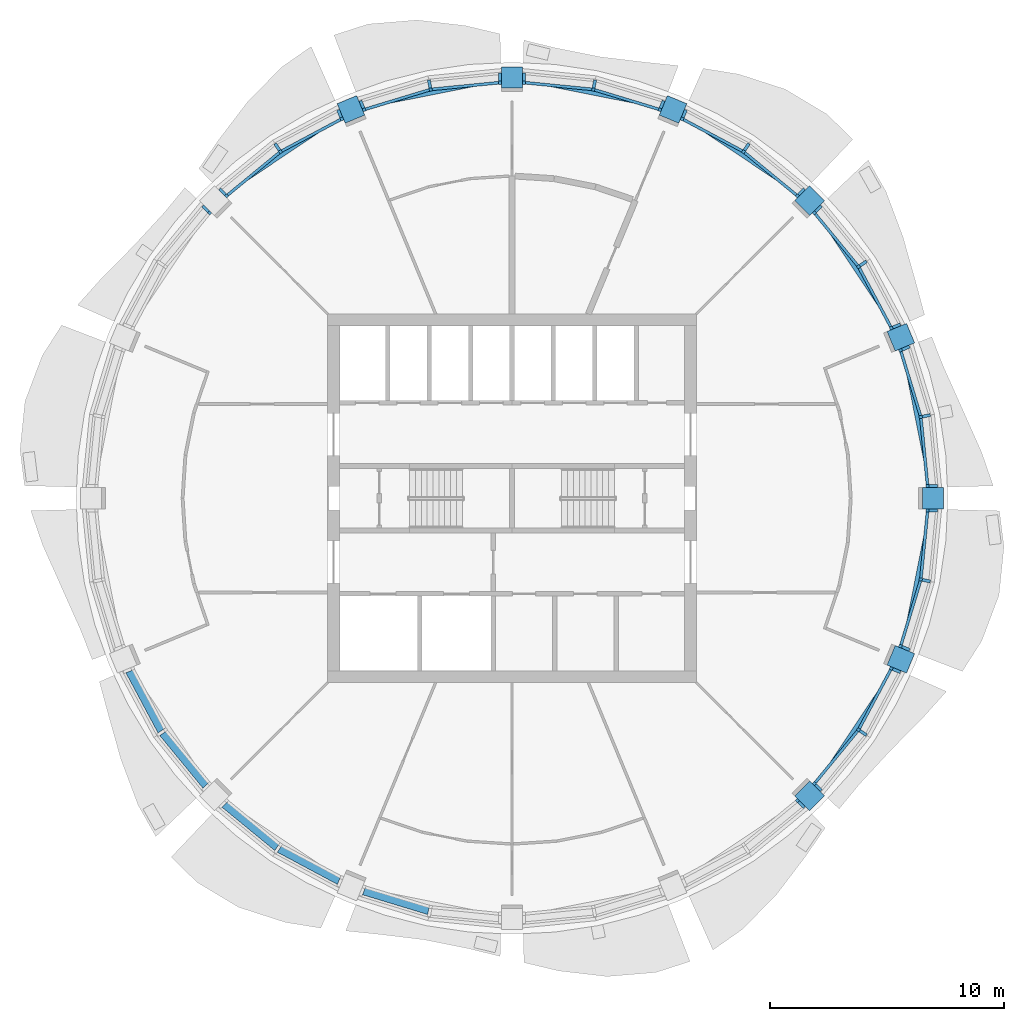
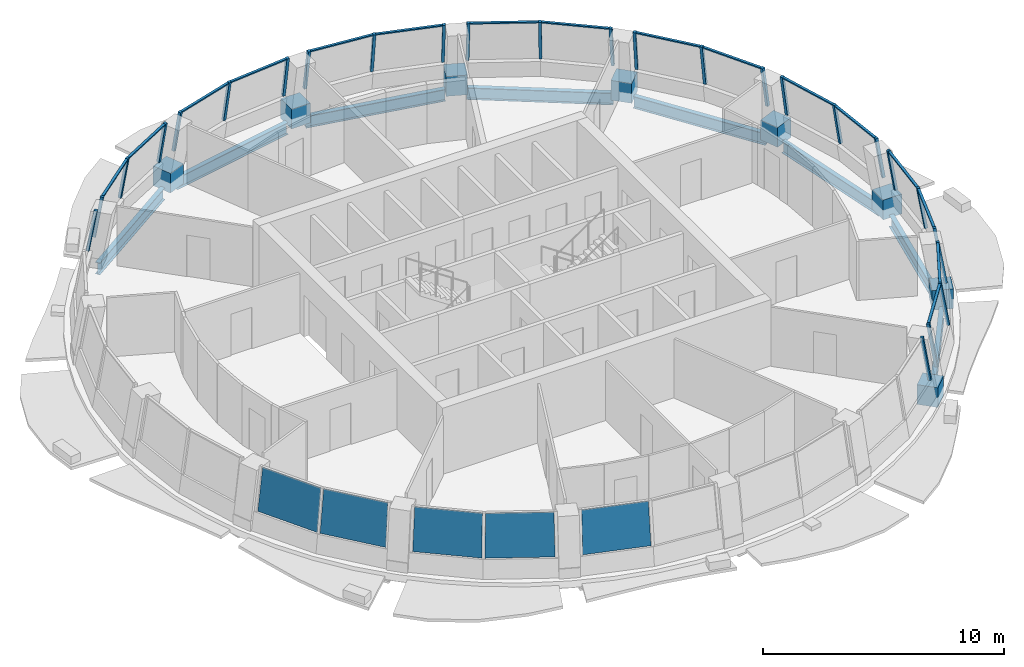
# One storey, part 2 of 11: 50 members, 8 beams, 5 plates, 13 elements without a shape of their own.
"""IFC4 building model written with IfcOpenShell, lengths in metres."""

from ifc_helpers import new_model, si_unit, direction, frame, origin, origin_2d, place, context, subcontext, project, spatial, polyline, rectangle, i_section, outline, extrude, material, layer, layer_set, material_profile, profile_set, type_object, element, aggregate, save


model = new_model("IFC4")

# Units and contexts
model_context = context("Model", 3, precision=1e-05, world=origin(), true_north=direction((0.0, 1.0)))
body_context = subcontext(model_context, "Body", "Model", "MODEL_VIEW")
ifc_project = project(units=[si_unit("LENGTHUNIT", "METRE"), si_unit("AREAUNIT", "SQUARE_METRE"), si_unit("VOLUMEUNIT", "CUBIC_METRE"), si_unit("PLANEANGLEUNIT", "RADIAN"), si_unit("MASSUNIT", "GRAM", prefix="KILO")], contexts=[model_context])

# Site, building, storey
site_placement = place(None, origin())
site = spatial("IfcSite", under=ifc_project, at=site_placement, CompositionType="ELEMENT")
building_placement = place(site_placement, origin())
building = spatial("IfcBuilding", under=site, at=building_placement, Name="Polderwave Tower", CompositionType="ELEMENT")
storey_placement = place(building_placement, frame((0.0, 0.0, 184.300048828125)))
storey = spatial("IfcBuildingStorey", under=building, at=storey_placement, Name="L49", CompositionType="ELEMENT", Elevation=184.300048828125)

# Curtain wall, members
ifc_material_1 = material(Name="Aluminium 6063-T6 and glass", Category="aluminium")
curtain_wall_type = type_object("IfcCurtainWallType", Name="Office ribbon glazing, leaning storey wall", PredefinedType="NOTDEFINED", material=ifc_material_1)
curtain_wall_1_placement = place(storey_placement, origin())
curtain_wall_1 = element("IfcCurtainWall", 1, at=curtain_wall_1_placement, inside=storey, type_object=curtain_wall_type, Name="CW9 L49 00", PredefinedType="NOTDEFINED")
ifc_material_2 = material(Name="Aluminium 6063-T6", Category="aluminium")
ifc_material_profile_1 = material_profile(ifc_material_2, rectangle(XDim=0.1298828125, YDim=0.139892578125, at=origin_2d()), Name="AL 130x140")
ifc_profile_set_1 = profile_set([ifc_material_profile_1], Name="Aluminium 6063-T6")
member_type_1 = type_object("IfcMemberType", Name="Office ribbon glazing, leaning storey mullion 130x140", PredefinedType="MULLION", material=ifc_profile_set_1)
member_1_placement = place(storey_placement, frame((18.097412109375, 0.5146484375, 0.89990234375), z_axis=(-0.163431801187, 0.0, 0.98655463425), x_axis=(0.0, -1.0, 0.0)))
member_1 = element("IfcMember", 2, at=member_1_placement, type_object=member_type_1, Name="CW9 mullion 1", PredefinedType="MULLION", context=body_context, shape_type="SweptSolid", body=[
    extrude(rectangle(XDim=0.1298828125, YDim=0.139892578125, at=origin_2d()), origin(), (0.0, 0.0, 1.0), 2.128662109375),
])
member_2_placement = place(storey_placement, frame((17.798828125, 3.541015625, 0.89990234375), z_axis=(-0.160109999063, -0.031999061417, 0.986580381048), x_axis=(0.195981048463, -0.980607683349, 0.0)))
member_2 = element("IfcMember", 3, at=member_2_placement, type_object=member_type_1, Name="CW9 mullion 2", PredefinedType="MULLION", context=body_context, shape_type="SweptSolid", body=[
    extrude(rectangle(XDim=0.1298828125, YDim=0.139892578125, at=origin_2d()), origin(), (0.0, 0.0, 1.0), 2.128662109375),
])
member_3_placement = place(storey_placement, frame((16.916259765625, 6.44970703125, 0.89990234375), z_axis=(-0.150933514231, -0.062391969408, 0.986573016272), x_axis=(0.382020964761, -0.924153657399, 0.0)))
member_3 = element("IfcMember", 4, at=member_3_placement, type_object=member_type_1, Name="CW9 mullion 3", PredefinedType="MULLION", context=body_context, shape_type="SweptSolid", body=[
    extrude(rectangle(XDim=0.1298828125, YDim=0.139892578125, at=origin_2d()), origin(), (0.0, 0.0, 1.0), 2.128662109375),
])

curtain_wall_2_placement = place(storey_placement, origin())
curtain_wall_2 = element("IfcCurtainWall", 5, at=curtain_wall_2_placement, inside=storey, type_object=curtain_wall_type, Name="CW9 L49 01", PredefinedType="NOTDEFINED")
member_4_placement = place(storey_placement, frame((16.522705078125, 7.4013671875, 0.89990234375), z_axis=(-0.150932433199, -0.062506212837, 0.986565950135), x_axis=(0.38262048223, -0.923905604798, 0.0)))
member_4 = element("IfcMember", 6, at=member_4_placement, type_object=member_type_1, Name="CW9 mullion 1", PredefinedType="MULLION", context=body_context, shape_type="SweptSolid", body=[
    extrude(rectangle(XDim=0.1298828125, YDim=0.139892578125, at=origin_2d()), origin(), (0.0, 0.0, 1.0), 2.128662109375),
])
member_5_placement = place(storey_placement, frame((15.089111328125, 10.082275390625, 0.89990234375), z_axis=(-0.135793100308, -0.090834573855, 0.986564399368), x_axis=(0.555995550238, -0.831185267023, 0.0)))
member_5 = element("IfcMember", 7, at=member_5_placement, type_object=member_type_1, Name="CW9 mullion 2", PredefinedType="MULLION", context=body_context, shape_type="SweptSolid", body=[
    extrude(rectangle(XDim=0.1298828125, YDim=0.139892578125, at=origin_2d()), origin(), (0.0, 0.0, 1.0), 2.128662109375),
])
member_6_placement = place(storey_placement, frame((13.16064453125, 12.4326171875, 0.89990234375), z_axis=(-0.115720038741, -0.115490663044, 0.986544869422), x_axis=(0.706404938746, -0.707807927701, 0.0)))
member_6 = element("IfcMember", 8, at=member_6_placement, type_object=member_type_1, Name="CW9 mullion 3", PredefinedType="MULLION", context=body_context, shape_type="SweptSolid", body=[
    extrude(rectangle(XDim=0.1298828125, YDim=0.139892578125, at=origin_2d()), origin(), (0.0, 0.0, 1.0), 2.128662109375),
])

curtain_wall_3_placement = place(storey_placement, origin())
curtain_wall_3 = element("IfcCurtainWall", 9, at=curtain_wall_3_placement, inside=storey, type_object=curtain_wall_type, Name="CW9 L49 02", PredefinedType="NOTDEFINED")
member_7_placement = place(storey_placement, frame((12.4326171875, 13.16064453125, 0.89990234375), z_axis=(-0.115490663044, -0.115720038741, 0.986544869422), x_axis=(0.707807927701, -0.706404938746, 0.0)))
member_7 = element("IfcMember", 10, at=member_7_placement, type_object=member_type_1, Name="CW9 mullion 1", PredefinedType="MULLION", context=body_context, shape_type="SweptSolid", body=[
    extrude(rectangle(XDim=0.1298828125, YDim=0.139892578125, at=origin_2d()), origin(), (0.0, 0.0, 1.0), 2.128662109375),
])
member_8_placement = place(storey_placement, frame((10.082275390625, 15.089111328125, 0.89990234375), z_axis=(-0.090834573855, -0.135793100308, 0.986564399368), x_axis=(0.831185267023, -0.555995550238, 0.0)))
member_8 = element("IfcMember", 11, at=member_8_placement, type_object=member_type_1, Name="CW9 mullion 2", PredefinedType="MULLION", context=body_context, shape_type="SweptSolid", body=[
    extrude(rectangle(XDim=0.1298828125, YDim=0.139892578125, at=origin_2d()), origin(), (0.0, 0.0, 1.0), 2.128662109375),
])
member_9_placement = place(storey_placement, frame((7.4013671875, 16.522705078125, 0.89990234375), z_axis=(-0.062506212837, -0.150932433199, 0.986565950135), x_axis=(0.923905604798, -0.38262048223, 0.0)))
member_9 = element("IfcMember", 12, at=member_9_placement, type_object=member_type_1, Name="CW9 mullion 3", PredefinedType="MULLION", context=body_context, shape_type="SweptSolid", body=[
    extrude(rectangle(XDim=0.1298828125, YDim=0.139892578125, at=origin_2d()), origin(), (0.0, 0.0, 1.0), 2.128662109375),
])

curtain_wall_4_placement = place(storey_placement, origin())
curtain_wall_4 = element("IfcCurtainWall", 13, at=curtain_wall_4_placement, inside=storey, type_object=curtain_wall_type, Name="CW9 L49 03", PredefinedType="NOTDEFINED")
member_10_placement = place(storey_placement, frame((6.44970703125, 16.916259765625, 0.89990234375), z_axis=(-0.062391969408, -0.150933514231, 0.986573016272), x_axis=(0.924153657399, -0.382020964761, 0.0)))
member_10 = element("IfcMember", 14, at=member_10_placement, type_object=member_type_1, Name="CW9 mullion 1", PredefinedType="MULLION", context=body_context, shape_type="SweptSolid", body=[
    extrude(rectangle(XDim=0.1298828125, YDim=0.139892578125, at=origin_2d()), origin(), (0.0, 0.0, 1.0), 2.128662109375),
])
member_11_placement = place(storey_placement, frame((3.541015625, 17.798828125, 0.89990234375), z_axis=(-0.031999061417, -0.160109999063, 0.986580381048), x_axis=(0.980607683349, -0.195981048463, 0.0)))
member_11 = element("IfcMember", 15, at=member_11_placement, type_object=member_type_1, Name="CW9 mullion 2", PredefinedType="MULLION", context=body_context, shape_type="SweptSolid", body=[
    extrude(rectangle(XDim=0.1298828125, YDim=0.139892578125, at=origin_2d()), origin(), (0.0, 0.0, 1.0), 2.128662109375),
])
member_12_placement = place(storey_placement, frame((0.5146484375, 18.097412109375, 0.89990234375), z_axis=(0.0, -0.163431801187, 0.98655463425), x_axis=(1.0, 0.0, 0.0)))
member_12 = element("IfcMember", 16, at=member_12_placement, type_object=member_type_1, Name="CW9 mullion 3", PredefinedType="MULLION", context=body_context, shape_type="SweptSolid", body=[
    extrude(rectangle(XDim=0.1298828125, YDim=0.139892578125, at=origin_2d()), origin(), (0.0, 0.0, 1.0), 2.128662109375),
])

curtain_wall_5_placement = place(storey_placement, origin())
curtain_wall_5 = element("IfcCurtainWall", 17, at=curtain_wall_5_placement, inside=storey, type_object=curtain_wall_type, Name="CW9 L49 04", PredefinedType="NOTDEFINED")
member_13_placement = place(storey_placement, frame((-0.5146484375, 18.097412109375, 0.89990234375), z_axis=(0.0, -0.163431801187, 0.98655463425), x_axis=(1.0, 0.0, 0.0)))
member_13 = element("IfcMember", 18, at=member_13_placement, type_object=member_type_1, Name="CW9 mullion 1", PredefinedType="MULLION", context=body_context, shape_type="SweptSolid", body=[
    extrude(rectangle(XDim=0.1298828125, YDim=0.139892578125, at=origin_2d()), origin(), (0.0, 0.0, 1.0), 2.128662109375),
])
member_14_placement = place(storey_placement, frame((-3.541015625, 17.798828125, 0.89990234375), z_axis=(0.031999061417, -0.160109999063, 0.986580381048), x_axis=(0.980607683349, 0.195981048463, 0.0)))
member_14 = element("IfcMember", 19, at=member_14_placement, type_object=member_type_1, Name="CW9 mullion 2", PredefinedType="MULLION", context=body_context, shape_type="SweptSolid", body=[
    extrude(rectangle(XDim=0.1298828125, YDim=0.139892578125, at=origin_2d()), origin(), (0.0, 0.0, 1.0), 2.128662109375),
])
member_15_placement = place(storey_placement, frame((-6.44970703125, 16.916259765625, 0.89990234375), z_axis=(0.062391969408, -0.150933514231, 0.986573016272), x_axis=(0.924153657399, 0.382020964761, 0.0)))
member_15 = element("IfcMember", 20, at=member_15_placement, type_object=member_type_1, Name="CW9 mullion 3", PredefinedType="MULLION", context=body_context, shape_type="SweptSolid", body=[
    extrude(rectangle(XDim=0.1298828125, YDim=0.139892578125, at=origin_2d()), origin(), (0.0, 0.0, 1.0), 2.128662109375),
])

curtain_wall_6_placement = place(storey_placement, origin())
curtain_wall_6 = element("IfcCurtainWall", 21, at=curtain_wall_6_placement, inside=storey, type_object=curtain_wall_type, Name="CW9 L49 05", PredefinedType="NOTDEFINED")
member_16_placement = place(storey_placement, frame((-7.4013671875, 16.522705078125, 0.89990234375), z_axis=(0.062506212837, -0.150932433199, 0.986565950135), x_axis=(0.923905604798, 0.38262048223, 0.0)))
member_16 = element("IfcMember", 22, at=member_16_placement, type_object=member_type_1, Name="CW9 mullion 1", PredefinedType="MULLION", context=body_context, shape_type="SweptSolid", body=[
    extrude(rectangle(XDim=0.1298828125, YDim=0.139892578125, at=origin_2d()), origin(), (0.0, 0.0, 1.0), 2.128662109375),
])
member_17_placement = place(storey_placement, frame((-10.082275390625, 15.089111328125, 0.89990234375), z_axis=(0.090834573855, -0.135793100308, 0.986564399368), x_axis=(0.831185267023, 0.555995550238, 0.0)))
member_17 = element("IfcMember", 23, at=member_17_placement, type_object=member_type_1, Name="CW9 mullion 2", PredefinedType="MULLION", context=body_context, shape_type="SweptSolid", body=[
    extrude(rectangle(XDim=0.1298828125, YDim=0.139892578125, at=origin_2d()), origin(), (0.0, 0.0, 1.0), 2.128662109375),
])
member_18_placement = place(storey_placement, frame((-12.4326171875, 13.16064453125, 0.89990234375), z_axis=(0.115490663044, -0.115720038741, 0.986544869422), x_axis=(0.707807927701, 0.706404938746, 0.0)))
member_18 = element("IfcMember", 24, at=member_18_placement, type_object=member_type_1, Name="CW9 mullion 3", PredefinedType="MULLION", context=body_context, shape_type="SweptSolid", body=[
    extrude(rectangle(XDim=0.1298828125, YDim=0.139892578125, at=origin_2d()), origin(), (0.0, 0.0, 1.0), 2.128662109375),
])

# Curtain wall, member
curtain_wall_7_placement = place(storey_placement, origin())
curtain_wall_7 = element("IfcCurtainWall", 25, at=curtain_wall_7_placement, inside=storey, type_object=curtain_wall_type, Name="CW9 L49 06", PredefinedType="NOTDEFINED")
member_19_placement = place(storey_placement, frame((-13.16064453125, 12.4326171875, 0.89990234375), z_axis=(0.115720038741, -0.115490663044, 0.986544869422), x_axis=(0.706404938746, 0.707807927701, 0.0)))
member_19 = element("IfcMember", 26, at=member_19_placement, type_object=member_type_1, Name="CW9 mullion 1", PredefinedType="MULLION", context=body_context, shape_type="SweptSolid", body=[
    extrude(rectangle(XDim=0.1298828125, YDim=0.139892578125, at=origin_2d()), origin(), (0.0, 0.0, 1.0), 2.128662109375),
])
aggregate(curtain_wall_7, [member_19])

curtain_wall_8_placement = place(storey_placement, origin())
curtain_wall_8 = element("IfcCurtainWall", 27, at=curtain_wall_8_placement, inside=storey, type_object=curtain_wall_type, Name="CW9 L49 13", PredefinedType="NOTDEFINED")
member_20_placement = place(storey_placement, frame((12.4326171875, -13.16064453125, 0.89990234375), z_axis=(-0.115490663044, 0.115720038741, 0.986544869422), x_axis=(-0.707807927701, -0.706404938746, 0.0)))
member_20 = element("IfcMember", 28, at=member_20_placement, type_object=member_type_1, Name="CW9 mullion 3", PredefinedType="MULLION", context=body_context, shape_type="SweptSolid", body=[
    extrude(rectangle(XDim=0.1298828125, YDim=0.139892578125, at=origin_2d()), origin(), (0.0, 0.0, 1.0), 2.128662109375),
])
aggregate(curtain_wall_8, [member_20])

# Curtain wall, members
curtain_wall_9_placement = place(storey_placement, origin())
curtain_wall_9 = element("IfcCurtainWall", 29, at=curtain_wall_9_placement, inside=storey, type_object=curtain_wall_type, Name="CW9 L49 14", PredefinedType="NOTDEFINED")
member_21_placement = place(storey_placement, frame((13.16064453125, -12.4326171875, 0.89990234375), z_axis=(-0.115720038741, 0.115490663044, 0.986544869422), x_axis=(-0.706404938746, -0.707807927701, 0.0)))
member_21 = element("IfcMember", 30, at=member_21_placement, type_object=member_type_1, Name="CW9 mullion 1", PredefinedType="MULLION", context=body_context, shape_type="SweptSolid", body=[
    extrude(rectangle(XDim=0.1298828125, YDim=0.139892578125, at=origin_2d()), origin(), (0.0, 0.0, 1.0), 2.128662109375),
])
member_22_placement = place(storey_placement, frame((15.089111328125, -10.082275390625, 0.89990234375), z_axis=(-0.135793100308, 0.090834573855, 0.986564399368), x_axis=(-0.555995550238, -0.831185267023, 0.0)))
member_22 = element("IfcMember", 31, at=member_22_placement, type_object=member_type_1, Name="CW9 mullion 2", PredefinedType="MULLION", context=body_context, shape_type="SweptSolid", body=[
    extrude(rectangle(XDim=0.1298828125, YDim=0.139892578125, at=origin_2d()), origin(), (0.0, 0.0, 1.0), 2.128662109375),
])
member_23_placement = place(storey_placement, frame((16.522705078125, -7.4013671875, 0.89990234375), z_axis=(-0.150932433199, 0.062506212837, 0.986565950135), x_axis=(-0.38262048223, -0.923905604798, 0.0)))
member_23 = element("IfcMember", 32, at=member_23_placement, type_object=member_type_1, Name="CW9 mullion 3", PredefinedType="MULLION", context=body_context, shape_type="SweptSolid", body=[
    extrude(rectangle(XDim=0.1298828125, YDim=0.139892578125, at=origin_2d()), origin(), (0.0, 0.0, 1.0), 2.128662109375),
])

curtain_wall_10_placement = place(storey_placement, origin())
curtain_wall_10 = element("IfcCurtainWall", 33, at=curtain_wall_10_placement, inside=storey, type_object=curtain_wall_type, Name="CW9 L49 15", PredefinedType="NOTDEFINED")
member_24_placement = place(storey_placement, frame((16.916259765625, -6.44970703125, 0.89990234375), z_axis=(-0.150933514231, 0.062391969408, 0.986573016272), x_axis=(-0.382020964761, -0.924153657399, 0.0)))
member_24 = element("IfcMember", 34, at=member_24_placement, type_object=member_type_1, Name="CW9 mullion 1", PredefinedType="MULLION", context=body_context, shape_type="SweptSolid", body=[
    extrude(rectangle(XDim=0.1298828125, YDim=0.139892578125, at=origin_2d()), origin(), (0.0, 0.0, 1.0), 2.128662109375),
])
member_25_placement = place(storey_placement, frame((17.798828125, -3.541015625, 0.89990234375), z_axis=(-0.160109999063, 0.031999061417, 0.986580381048), x_axis=(-0.195981048463, -0.980607683349, 0.0)))
member_25 = element("IfcMember", 35, at=member_25_placement, type_object=member_type_1, Name="CW9 mullion 2", PredefinedType="MULLION", context=body_context, shape_type="SweptSolid", body=[
    extrude(rectangle(XDim=0.1298828125, YDim=0.139892578125, at=origin_2d()), origin(), (0.0, 0.0, 1.0), 2.128662109375),
])
member_26_placement = place(storey_placement, frame((18.097412109375, -0.5146484375, 0.89990234375), z_axis=(-0.163431801187, 0.0, 0.98655463425), x_axis=(0.0, -1.0, 0.0)))
member_26 = element("IfcMember", 36, at=member_26_placement, type_object=member_type_1, Name="CW9 mullion 3", PredefinedType="MULLION", context=body_context, shape_type="SweptSolid", body=[
    extrude(rectangle(XDim=0.1298828125, YDim=0.139892578125, at=origin_2d()), origin(), (0.0, 0.0, 1.0), 2.128662109375),
])

# Member
ifc_material_profile_2 = material_profile(ifc_material_2, rectangle(XDim=0.1201171875, YDim=0.06005859375, at=origin_2d()), Name="AL 60x120")
ifc_profile_set_2 = profile_set([ifc_material_profile_2], Name="Aluminium 6063-T6")
member_type_2 = type_object("IfcMemberType", Name="Office ribbon glazing, leaning storey transom 60x120", PredefinedType="USERDEFINED", material=ifc_profile_set_2)
member_27_placement = place(storey_placement, frame((17.748291015625, 0.579345703125, 2.969970703125), z_axis=(-0.098135006955, 0.995173110775, 0.0), x_axis=(-0.995173110775, -0.098135006955, 0.0)))
member_27 = element("IfcMember", 37, at=member_27_placement, type_object=member_type_2, Name="CW9 transom 1", ObjectType="TRANSOM", PredefinedType="USERDEFINED", context=body_context, shape_type="SweptSolid", body=[
    extrude(rectangle(XDim=0.1201171875, YDim=0.06005859375, at=origin_2d()), origin(), (0.0, 0.0, 1.0), 2.843505859375),
])

member_28_placement = place(storey_placement, frame((17.444091796875, 3.5361328125, 2.969970703125), z_axis=(-0.290426844186, 0.956897198332, 0.0), x_axis=(-0.956897198332, -0.290426844186, 0.0)))
member_28 = element("IfcMember", 38, at=member_28_placement, type_object=member_type_2, Name="CW9 transom 2", ObjectType="TRANSOM", PredefinedType="USERDEFINED", context=body_context, shape_type="SweptSolid", body=[
    extrude(rectangle(XDim=0.1201171875, YDim=0.06005859375, at=origin_2d()), origin(), (0.0, 0.0, 1.0), 2.843017578125),
])

aggregate(curtain_wall_1, [member_1, member_2, member_3, member_27, member_28])

member_29_placement = place(storey_placement, frame((16.17529296875, 7.327392578125, 2.969970703125), z_axis=(-0.471537337617, 0.881846097249, 0.0), x_axis=(-0.881846097249, -0.471537337617, 0.0)))
member_29 = element("IfcMember", 39, at=member_29_placement, type_object=member_type_2, Name="CW9 transom 1", ObjectType="TRANSOM", PredefinedType="USERDEFINED", context=body_context, shape_type="SweptSolid", body=[
    extrude(rectangle(XDim=0.1201171875, YDim=0.06005859375, at=origin_2d()), origin(), (0.0, 0.0, 1.0), 2.843017578125),
])

member_30_placement = place(storey_placement, frame((14.762939453125, 9.94189453125, 2.969970703125), z_axis=(-0.634415285809, 0.772992396555, 0.0), x_axis=(-0.772992396555, -0.634415285809, 0.0)))
member_30 = element("IfcMember", 40, at=member_30_placement, type_object=member_type_2, Name="CW9 transom 2", ObjectType="TRANSOM", PredefinedType="USERDEFINED", context=body_context, shape_type="SweptSolid", body=[
    extrude(rectangle(XDim=0.1201171875, YDim=0.06005859375, at=origin_2d()), origin(), (0.0, 0.0, 1.0), 2.843505859375),
])

aggregate(curtain_wall_2, [member_4, member_5, member_6, member_29, member_30])

member_31_placement = place(storey_placement, frame((12.139892578125, 12.958984375, 2.969970703125), z_axis=(-0.772992396555, 0.634415285809, 0.0), x_axis=(-0.634415285809, -0.772992396555, 0.0)))
member_31 = element("IfcMember", 41, at=member_31_placement, type_object=member_type_2, Name="CW9 transom 1", ObjectType="TRANSOM", PredefinedType="USERDEFINED", context=body_context, shape_type="SweptSolid", body=[
    extrude(rectangle(XDim=0.1201171875, YDim=0.06005859375, at=origin_2d()), origin(), (0.0, 0.0, 1.0), 2.843505859375),
])

member_32_placement = place(storey_placement, frame((9.83447265625, 14.834716796875, 2.969970703125), z_axis=(-0.881846097249, 0.471537337617, 0.0), x_axis=(-0.471537337617, -0.881846097249, 0.0)))
member_32 = element("IfcMember", 42, at=member_32_placement, type_object=member_type_2, Name="CW9 transom 2", ObjectType="TRANSOM", PredefinedType="USERDEFINED", context=body_context, shape_type="SweptSolid", body=[
    extrude(rectangle(XDim=0.1201171875, YDim=0.06005859375, at=origin_2d()), origin(), (0.0, 0.0, 1.0), 2.843017578125),
])

aggregate(curtain_wall_3, [member_7, member_8, member_9, member_31, member_32])

member_33_placement = place(storey_placement, frame((6.256591796875, 16.618408203125, 2.969970703125), z_axis=(-0.956897198332, 0.290426844186, 0.0), x_axis=(-0.290426844186, -0.956897198332, 0.0)))
member_33 = element("IfcMember", 43, at=member_33_placement, type_object=member_type_2, Name="CW9 transom 1", ObjectType="TRANSOM", PredefinedType="USERDEFINED", context=body_context, shape_type="SweptSolid", body=[
    extrude(rectangle(XDim=0.1201171875, YDim=0.06005859375, at=origin_2d()), origin(), (0.0, 0.0, 1.0), 2.843017578125),
])

member_34_placement = place(storey_placement, frame((3.4091796875, 17.46923828125, 2.969970703125), z_axis=(-0.995173110775, 0.098135006955, 0.0), x_axis=(-0.098135006955, -0.995173110775, 0.0)))
member_34 = element("IfcMember", 44, at=member_34_placement, type_object=member_type_2, Name="CW9 transom 2", ObjectType="TRANSOM", PredefinedType="USERDEFINED", context=body_context, shape_type="SweptSolid", body=[
    extrude(rectangle(XDim=0.1201171875, YDim=0.06005859375, at=origin_2d()), origin(), (0.0, 0.0, 1.0), 2.843505859375),
])

aggregate(curtain_wall_4, [member_10, member_11, member_12, member_33, member_34])

member_35_placement = place(storey_placement, frame((-0.579345703125, 17.748291015625, 2.969970703125), z_axis=(-0.995173110775, -0.098135006955, 0.0), x_axis=(0.098135006955, -0.995173110775, 0.0)))
member_35 = element("IfcMember", 45, at=member_35_placement, type_object=member_type_2, Name="CW9 transom 1", ObjectType="TRANSOM", PredefinedType="USERDEFINED", context=body_context, shape_type="SweptSolid", body=[
    extrude(rectangle(XDim=0.1201171875, YDim=0.06005859375, at=origin_2d()), origin(), (0.0, 0.0, 1.0), 2.843505859375),
])

member_36_placement = place(storey_placement, frame((-3.5361328125, 17.444091796875, 2.969970703125), z_axis=(-0.956897198332, -0.290426844186, 0.0), x_axis=(0.290426844186, -0.956897198332, 0.0)))
member_36 = element("IfcMember", 46, at=member_36_placement, type_object=member_type_2, Name="CW9 transom 2", ObjectType="TRANSOM", PredefinedType="USERDEFINED", context=body_context, shape_type="SweptSolid", body=[
    extrude(rectangle(XDim=0.1201171875, YDim=0.06005859375, at=origin_2d()), origin(), (0.0, 0.0, 1.0), 2.843017578125),
])

aggregate(curtain_wall_5, [member_13, member_14, member_15, member_35, member_36])

member_37_placement = place(storey_placement, frame((-7.327392578125, 16.17529296875, 2.969970703125), z_axis=(-0.881846097249, -0.471537337617, 0.0), x_axis=(0.471537337617, -0.881846097249, 0.0)))
member_37 = element("IfcMember", 47, at=member_37_placement, type_object=member_type_2, Name="CW9 transom 1", ObjectType="TRANSOM", PredefinedType="USERDEFINED", context=body_context, shape_type="SweptSolid", body=[
    extrude(rectangle(XDim=0.1201171875, YDim=0.06005859375, at=origin_2d()), origin(), (0.0, 0.0, 1.0), 2.843017578125),
])

member_38_placement = place(storey_placement, frame((-9.94189453125, 14.762939453125, 2.969970703125), z_axis=(-0.772992396555, -0.634415285809, 0.0), x_axis=(0.634415285809, -0.772992396555, 0.0)))
member_38 = element("IfcMember", 48, at=member_38_placement, type_object=member_type_2, Name="CW9 transom 2", ObjectType="TRANSOM", PredefinedType="USERDEFINED", context=body_context, shape_type="SweptSolid", body=[
    extrude(rectangle(XDim=0.1201171875, YDim=0.06005859375, at=origin_2d()), origin(), (0.0, 0.0, 1.0), 2.843505859375),
])

aggregate(curtain_wall_6, [member_16, member_17, member_18, member_37, member_38])

member_39_placement = place(storey_placement, frame((12.958984375, -12.139892578125, 2.969970703125), z_axis=(0.634415285809, 0.772992396555, 0.0), x_axis=(-0.772992396555, 0.634415285809, 0.0)))
member_39 = element("IfcMember", 49, at=member_39_placement, type_object=member_type_2, Name="CW9 transom 1", ObjectType="TRANSOM", PredefinedType="USERDEFINED", context=body_context, shape_type="SweptSolid", body=[
    extrude(rectangle(XDim=0.1201171875, YDim=0.06005859375, at=origin_2d()), origin(), (0.0, 0.0, 1.0), 2.843505859375),
])

member_40_placement = place(storey_placement, frame((14.834716796875, -9.83447265625, 2.969970703125), z_axis=(0.471537337617, 0.881846097249, 0.0), x_axis=(-0.881846097249, 0.471537337617, 0.0)))
member_40 = element("IfcMember", 50, at=member_40_placement, type_object=member_type_2, Name="CW9 transom 2", ObjectType="TRANSOM", PredefinedType="USERDEFINED", context=body_context, shape_type="SweptSolid", body=[
    extrude(rectangle(XDim=0.1201171875, YDim=0.06005859375, at=origin_2d()), origin(), (0.0, 0.0, 1.0), 2.843017578125),
])

aggregate(curtain_wall_9, [member_21, member_22, member_23, member_39, member_40])

member_41_placement = place(storey_placement, frame((16.618408203125, -6.256591796875, 2.969970703125), z_axis=(0.290426844186, 0.956897198332, 0.0), x_axis=(-0.956897198332, 0.290426844186, 0.0)))
member_41 = element("IfcMember", 51, at=member_41_placement, type_object=member_type_2, Name="CW9 transom 1", ObjectType="TRANSOM", PredefinedType="USERDEFINED", context=body_context, shape_type="SweptSolid", body=[
    extrude(rectangle(XDim=0.1201171875, YDim=0.06005859375, at=origin_2d()), origin(), (0.0, 0.0, 1.0), 2.843017578125),
])

member_42_placement = place(storey_placement, frame((17.46923828125, -3.4091796875, 2.969970703125), z_axis=(0.098135006955, 0.995173110775, 0.0), x_axis=(-0.995173110775, 0.098135006955, 0.0)))
member_42 = element("IfcMember", 52, at=member_42_placement, type_object=member_type_2, Name="CW9 transom 2", ObjectType="TRANSOM", PredefinedType="USERDEFINED", context=body_context, shape_type="SweptSolid", body=[
    extrude(rectangle(XDim=0.1201171875, YDim=0.06005859375, at=origin_2d()), origin(), (0.0, 0.0, 1.0), 2.843505859375),
])

aggregate(curtain_wall_10, [member_24, member_25, member_26, member_41, member_42])

# Members
ifc_material_3 = material(Name="Concrete C60/75", Category="concrete")
ifc_material_profile_3 = material_profile(ifc_material_3, rectangle(XDim=0.89990234375, YDim=0.89990234375, at=origin_2d()), Name="RC 900x900")
ifc_profile_set_3 = profile_set([ifc_material_profile_3], Name="Concrete C60/75")
member_type_3 = type_object("IfcMemberType", Name="RC NODE 900x900 C60/75", PredefinedType="POST", material=ifc_profile_set_3)
for number, where, z_axis, x_axis, name in (
    (53, (17.9775390625, 0.0, -0.5), (0.0, 0.0, 1.0), (1.0, 0.0, 0.0), "Ring column node 01"),
    (54, (16.609130859375, 6.879638671875, -0.5), (0.0, 0.0, 1.0), (0.923879532511, 0.382683432365, 0.0), "Ring column node 02"),
    (55, (12.7119140625, 12.7119140625, -0.5), (0.0, 0.0, 1.0), (0.707106781187, 0.707106781187, 0.0), "Ring column node 03"),
    (56, (6.879638671875, 16.609130859375, -0.5), (0.0, 0.0, 1.0), (0.382683432365, 0.923879532511, 0.0), "Ring column node 04"),
    (57, (0.0, 17.9775390625, -0.5), (0.0, 0.0, 1.0), (0.0, 1.0, 0.0), "Ring column node 05"),
    (58, (-6.879638671875, 16.609130859375, -0.5), (0.0, 0.0, 1.0), (-0.382683432365, 0.923879532511, 0.0), "Ring column node 06"),
    (59, (12.7119140625, -12.7119140625, -0.5), (0.0, 0.0, 1.0), (0.707106781187, -0.707106781187, 0.0), "Ring column node 15"),
    (60, (16.609130859375, -6.879638671875, -0.5), (0.0, 0.0, 1.0), (0.923879532511, -0.382683432365, 0.0), "Ring column node 16"),
):
    element("IfcMember", number, at=place(storey_placement, frame(where, z_axis=z_axis, x_axis=x_axis)), inside=storey, type_object=member_type_3, Name=name, PredefinedType="POST", context=body_context, shape_type="SweptSolid", body=[
        extrude(rectangle(XDim=0.89990234375, YDim=0.89990234375, at=origin_2d()), origin(), (0.0, 0.0, 1.0), 1.0),
    ])

# Beams
ifc_material_4 = material(Name="Steel S355", Category="steel")
ifc_material_profile_4 = material_profile(ifc_material_4, i_section(OverallWidth=0.219970703125, OverallDepth=0.60009765625, WebThickness=0.011962890625, FlangeThickness=0.01904296875, at=origin_2d()), Name="IPE 600")
ifc_profile_set_4 = profile_set([ifc_material_profile_4], Name="Steel S355")
beam_type = type_object("IfcBeamType", Name="RING BEAM IPE 600", PredefinedType="BEAM", material=ifc_profile_set_4)
for number, where, z_axis, x_axis, name in (
    (61, (17.930419921875, 0.449951171875, -0.650146484375), (-0.195079268525, 0.980787479014, 0.0), (-0.980787479014, -0.195079268525, 0.0), "ST-RB-L49-00"),
    (62, (16.393310546875, 7.27734375, -0.650146484375), (-0.555538553645, 0.831490778911, 0.0), (-0.831490778911, -0.555538553645, 0.0), "ST-RB-L49-01"),
    (63, (12.360595703125, 12.9970703125, -0.650146484375), (-0.831490778911, 0.555538553645, 0.0), (-0.555538553645, -0.831490778911, 0.0), "ST-RB-L49-02"),
    (64, (6.446044921875, 16.73779296875, -0.650146484375), (-0.980787479014, 0.195079268525, 0.0), (-0.195079268525, -0.980787479014, 0.0), "ST-RB-L49-03"),
    (65, (-0.449951171875, 17.930419921875, -0.650146484375), (-0.980787479014, -0.195079268525, 0.0), (0.195079268525, -0.980787479014, 0.0), "ST-RB-L49-04"),
    (66, (-7.27734375, 16.393310546875, -0.650146484375), (-0.831490778911, -0.555538553645, 0.0), (0.555538553645, -0.831490778911, 0.0), "ST-RB-L49-05"),
    (67, (12.9970703125, -12.360595703125, -0.650146484375), (0.555538553645, 0.831490778911, 0.0), (-0.831490778911, 0.555538553645, 0.0), "ST-RB-L49-14"),
    (68, (16.73779296875, -6.446044921875, -0.650146484375), (0.195079268525, 0.980787479014, 0.0), (-0.980787479014, 0.195079268525, 0.0), "ST-RB-L49-15"),
):
    element("IfcBeam", number, at=place(storey_placement, frame(where, z_axis=z_axis, x_axis=x_axis)), inside=storey, type_object=beam_type, Name=name, PredefinedType="BEAM", context=body_context, shape_type="SweptSolid", body=[
        extrude(i_section(OverallWidth=0.219970703125, OverallDepth=0.60009765625, WebThickness=0.011962890625, FlangeThickness=0.01904296875, at=origin_2d()), origin(), (0.0, 0.0, 1.0), 6.113525390625),
    ])

# Curtain wall, plates
curtain_wall_11_placement = place(storey_placement, origin())
curtain_wall_11 = element("IfcCurtainWall", 69, at=curtain_wall_11_placement, inside=storey, type_object=curtain_wall_type, Name="CW9 L49 09", PredefinedType="NOTDEFINED")
ifc_material_5 = material(Name="Glass, low-e laminated double glazing", Category="glass")
ifc_layer = layer(ifc_material_5, 0.031982421875)
ifc_layer_set = layer_set([ifc_layer], Name="Office ribbon glazing, leaning storey glass panel 32 mm")
plate_type = type_object("IfcPlateType", Name="Office ribbon glazing, leaning storey glass panel 32 mm", PredefinedType="CURTAIN_PANEL", material=ifc_layer_set)
plate_1_placement = place(storey_placement, frame((-16.491943359375, -7.45849609375, 0.89990234375), z_axis=(-0.870119635538, -0.465244395195, 0.162602191221), x_axis=(0.471518371063, -0.881856238674, -7.867249e-06)))
plate_1 = element("IfcPlate", 70, at=plate_1_placement, type_object=plate_type, Name="CW9 panel 1", PredefinedType="CURTAIN_PANEL", context=body_context, shape_type="SweptSolid", body=[
    extrude(outline(polyline([(0.0, 0.0), (2.910157721268269, 0.0), (2.8770777551603324, 2.0675776231824265), (0.033211130182774454, 2.0675317442709784), (0.0, 0.0)])), origin(), (0.0, 0.0, -1.0), 0.031982421875),
])
plate_2_placement = place(storey_placement, frame((-15.0478515625, -10.13232421875, 0.89990234375), z_axis=(-0.762780983698, -0.62589733664, 0.162535211248), x_axis=(0.634331768305, -0.773060934019, -3.503516e-06)))
plate_2 = element("IfcPlate", 71, at=plate_2_placement, type_object=plate_type, Name="CW9 panel 2", PredefinedType="CURTAIN_PANEL", context=body_context, shape_type="SweptSolid", body=[
    extrude(outline(polyline([(0.0, 0.0), (2.910141359165494, -2.7755575615628914e-17), (2.877697117455184, 2.0675417767761304), (0.03314000508848482, 2.0675213433890103), (0.0, 0.0)])), origin(), (0.0, 0.0, -1.0), 0.031982421875),
])
aggregate(curtain_wall_11, [plate_1, plate_2])

curtain_wall_12_placement = place(storey_placement, origin())
curtain_wall_12 = element("IfcCurtainWall", 72, at=curtain_wall_12_placement, inside=storey, type_object=curtain_wall_type, Name="CW9 L49 10", PredefinedType="NOTDEFINED")
plate_3_placement = place(storey_placement, frame((-12.382080078125, -13.201904296875, 0.89990234375), z_axis=(-0.625880422179, -0.762760370048, 0.162697003714), x_axis=(0.773060934749, -0.634331767416, 3.506909e-06)))
plate_3 = element("IfcPlate", 73, at=plate_3_placement, type_object=plate_type, Name="CW9 panel 1", PredefinedType="CURTAIN_PANEL", context=body_context, shape_type="SweptSolid", body=[
    extrude(outline(polyline([(0.0, 0.0), (2.9101413591655305, -2.7755575615628914e-17), (2.8770352308101934, 2.067577208279909), (0.032478118443602946, 2.067597662007041), (0.0, 0.0)])), origin(), (0.0, 0.0, -1.0), 0.031982421875),
])
plate_4_placement = place(storey_placement, frame((-10.02490234375, -15.119873046875, 0.89990234375), z_axis=(-0.465244395195, -0.870119635538, 0.162602191221), x_axis=(0.881856238674, -0.471518371063, 7.867249e-06)))
plate_4 = element("IfcPlate", 74, at=plate_4_placement, type_object=plate_type, Name="CW9 panel 2", PredefinedType="CURTAIN_PANEL", context=body_context, shape_type="SweptSolid", body=[
    extrude(outline(polyline([(0.0, 0.0), (2.910157721268269, 0.0), (2.876946591085494, 2.067531744270979), (0.03307996610793687, 2.0675776231824265), (0.0, 0.0)])), origin(), (0.0, 0.0, -1.0), 0.031982421875),
])
aggregate(curtain_wall_12, [plate_3, plate_4])

# Curtain wall, plate
curtain_wall_13_placement = place(storey_placement, origin())
curtain_wall_13 = element("IfcCurtainWall", 75, at=curtain_wall_13_placement, inside=storey, type_object=curtain_wall_type, Name="CW9 L49 11", PredefinedType="NOTDEFINED")
plate_5_placement = place(storey_placement, frame((-6.3876953125, -16.93505859375, 0.89990234375), z_axis=(-0.286531821409, -0.944165055001, 0.162640290935), x_axis=(0.956906124525, -0.290397432518, 5.822253e-06)))
plate_5 = element("IfcPlate", 76, at=plate_5_placement, type_object=plate_type, Name="CW9 panel 1", PredefinedType="CURTAIN_PANEL", context=body_context, shape_type="SweptSolid", body=[
    extrude(outline(polyline([(0.0, 0.0), (2.910043156805314, -5.551115123125783e-17), (2.87692401335745, 2.0675508651861287), (0.03315199720468743, 2.067584817410467), (0.0, 0.0)])), origin(), (0.0, 0.0, -1.0), 0.031982421875),
])
aggregate(curtain_wall_13, [plate_5])

save(model, "model.ifc")
